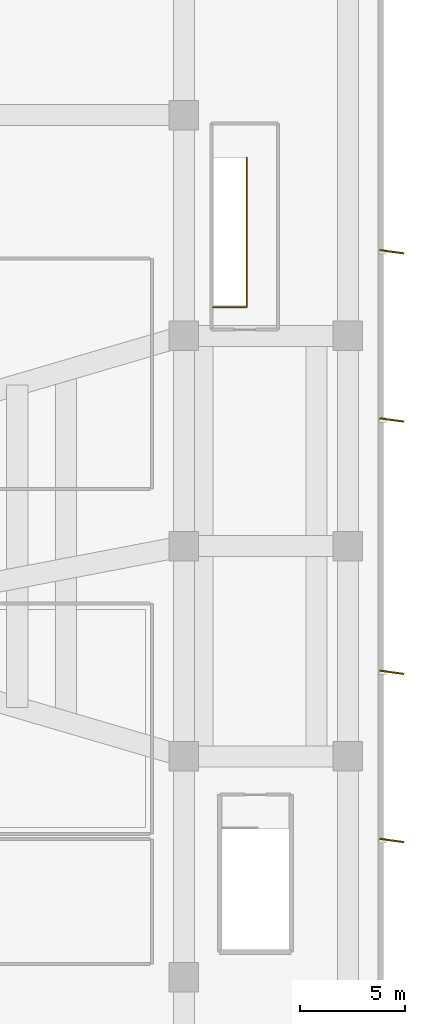
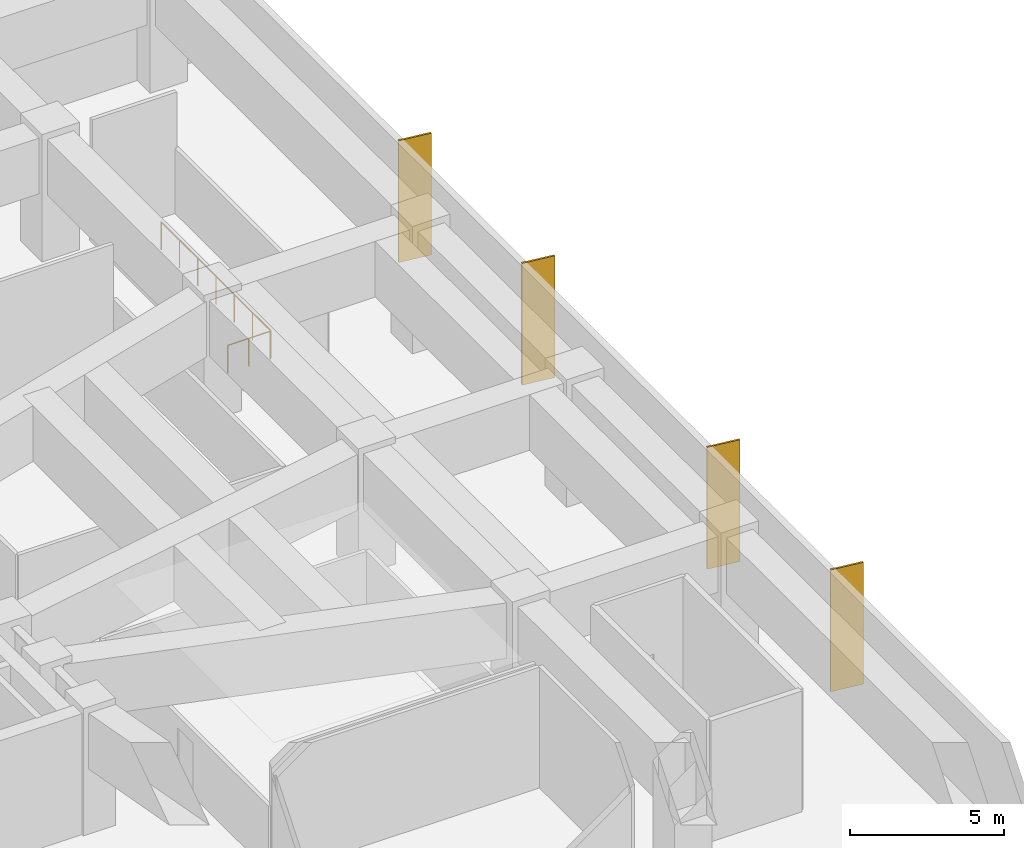
# One storey, part 14 of 14: 4 shading devices, 2 railings.
"""IFC4 building model written with IfcOpenShell, lengths in metres."""

from ifc_helpers import new_model, si_unit, direction, frame, origin, origin_2d, place, context, subcontext, project, spatial, rectangle, circle, extrude, material, layer, layer_set, type_object, element, save


model = new_model("IFC4")

# Units and contexts
model_context = context("Model", 3, precision=1e-05, world=origin(), true_north=direction((0.0, 1.0)))
body_context = subcontext(model_context, "Body", "Model", "MODEL_VIEW")
ifc_project = project(units=[si_unit("LENGTHUNIT", "METRE"), si_unit("AREAUNIT", "SQUARE_METRE"), si_unit("VOLUMEUNIT", "CUBIC_METRE"), si_unit("PLANEANGLEUNIT", "RADIAN"), si_unit("MASSUNIT", "GRAM", prefix="KILO")], contexts=[model_context])

# Site, building, storey
site_placement = place(None, origin())
site = spatial("IfcSite", under=ifc_project, at=site_placement, CompositionType="ELEMENT")
building_placement = place(site_placement, origin())
building = spatial("IfcBuilding", under=site, at=building_placement, Name="Solmarez Civic Tower", CompositionType="ELEMENT")
storey_placement = place(building_placement, frame((0.0, 0.0, 19.43994140625)))
storey = spatial("IfcBuildingStorey", under=building, at=storey_placement, Name="L04", CompositionType="ELEMENT", Elevation=19.43994140625)

# Shading devices
ifc_material_1 = material(Name="Bronze Anodised Aluminium EN AW-6063 T6", Category="aluminium")
ifc_layer = layer(ifc_material_1, 0.070068359375)
ifc_layer_set = layer_set([ifc_layer], Name="Bronze Anodised Aluminium EN AW-6063 T6")
shading_device_type = type_object("IfcShadingDeviceType", Name="FIN-BRONZE-POD", PredefinedType="USERDEFINED", material=ifc_layer_set)
for number, where, z_axis, x_axis, name in (
    (1, (33.89501953125, -14.0, -0.0400390625), (0.0, 0.0, 1.0), (0.990983199715, -0.133986185418, 0.0), "L04 Anodised Bronze Solar Fin FIN-L04-E1"),
    (2, (33.89501953125, -6.0, -0.0400390625), (0.0, 0.0, 1.0), (0.990983199715, -0.133986185418, 0.0), "L04 Anodised Bronze Solar Fin FIN-L04-E2"),
    (3, (33.89501953125, 6.0, -0.0400390625), (0.0, 0.0, 1.0), (0.990983199715, -0.133986185418, 0.0), "L04 Anodised Bronze Solar Fin FIN-L04-E3"),
    (4, (33.89501953125, 14.0, -0.0400390625), (0.0, 0.0, 1.0), (0.990983199715, -0.133986185418, 0.0), "L04 Anodised Bronze Solar Fin FIN-L04-E4"),
):
    element("IfcShadingDevice", number, at=place(storey_placement, frame(where, z_axis=z_axis, x_axis=x_axis)), inside=storey, type_object=shading_device_type, Name=name, ObjectType="FIN", PredefinedType="USERDEFINED", context=body_context, shape_type="SweptSolid", body=[
        extrude(rectangle(XDim=1.14990234375, YDim=0.070068359375, at=origin_2d()), origin(), (0.0, 0.0, 1.0), 4.820068359375),
    ])

# Railings
ifc_material_2 = material(Name="Painted Steel Stairwell Safety Guard", Category="steel")
railing_type = type_object("IfcRailingType", Name="GUARD-STAIR-1120", PredefinedType="BALUSTRADE", material=ifc_material_2)
railing_1_placement = place(storey_placement, frame((27.0, 11.3798828125, 0.0)))
element("IfcRailing", 5, at=railing_1_placement, inside=storey, type_object=railing_type, Name="L04 Stair ST-P4 Walkway Well Guard", PredefinedType="BALUSTRADE", context=body_context, shape_type="SweptSolid", body=[
    extrude(circle(Radius=0.02392578125, at=origin_2d()), frame((0.0, 0.0, 1.09619140625), z_axis=(0.0, 1.0, 0.0), x_axis=(-1.0, 0.0, 0.0)), (0.0, 0.0, 1.0), 7.10009765625),
    extrude(circle(Radius=0.02099609375, at=origin_2d()), origin(), (0.0, 0.0, 1.0), 1.072021484375),
    extrude(circle(Radius=0.02099609375, at=origin_2d()), frame((0.0, 1.183349609375, 0.0)), (0.0, 0.0, 1.0), 1.072021484375),
    extrude(circle(Radius=0.02099609375, at=origin_2d()), frame((0.0, 2.36669921875, 0.0)), (0.0, 0.0, 1.0), 1.072021484375),
    extrude(circle(Radius=0.02099609375, at=origin_2d()), frame((0.0, 3.550048828125, 0.0)), (0.0, 0.0, 1.0), 1.072021484375),
    extrude(circle(Radius=0.02099609375, at=origin_2d()), frame((0.0, 4.7333984375, 0.0)), (0.0, 0.0, 1.0), 1.072021484375),
    extrude(circle(Radius=0.02099609375, at=origin_2d()), frame((0.0, 5.916748046875, 0.0)), (0.0, 0.0, 1.0), 1.072021484375),
    extrude(circle(Radius=0.02099609375, at=origin_2d()), frame((0.0, 7.10009765625, 0.0)), (0.0, 0.0, 1.0), 1.072021484375),
])
railing_2_placement = place(storey_placement, frame((25.3798828125, 11.360107421875, 0.0)))
element("IfcRailing", 6, at=railing_2_placement, inside=storey, type_object=railing_type, Name="L04 Stair ST-P4 Top Well Guard", PredefinedType="BALUSTRADE", context=body_context, shape_type="SweptSolid", body=[
    extrude(circle(Radius=0.02392578125, at=origin_2d()), frame((0.0, 0.0, 1.09619140625), z_axis=(1.0, 0.0, 0.0), x_axis=(0.0, 1.0, 0.0)), (0.0, 0.0, 1.0), 1.580078125),
    extrude(circle(Radius=0.02099609375, at=origin_2d()), origin(), (0.0, 0.0, 1.0), 1.072021484375),
    extrude(circle(Radius=0.02099609375, at=origin_2d()), frame((0.7900390625, 0.0, 0.0)), (0.0, 0.0, 1.0), 1.072021484375),
    extrude(circle(Radius=0.02099609375, at=origin_2d()), frame((1.580078125, 0.0, 0.0)), (0.0, 0.0, 1.0), 1.072021484375),
])

save(model, "model.ifc")
